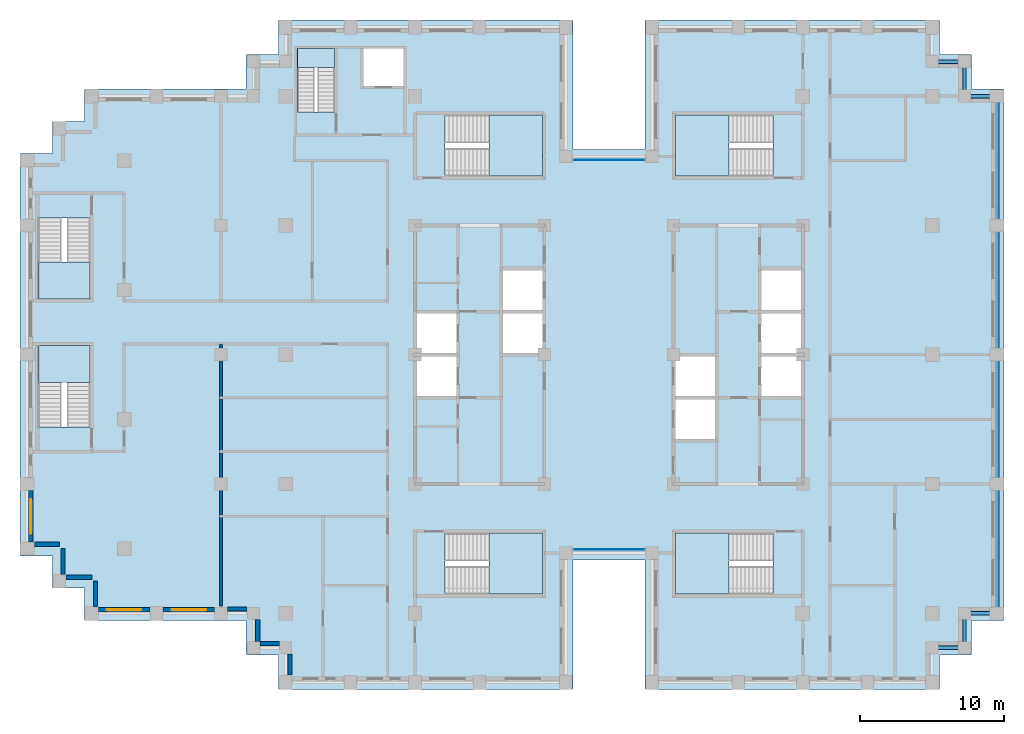
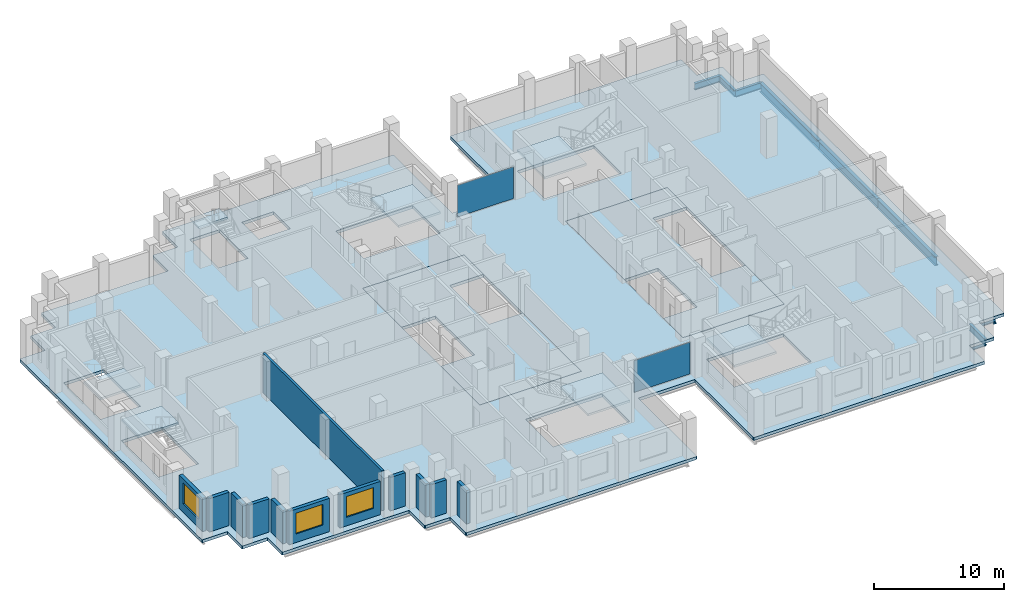
# One storey, part 5 of 15: 12 walls, 10 beams, 10 slabs, 3 windows, 2 plates, 3 openings, 9 elements without a shape of their own.
"""IFC4 building model written with IfcOpenShell, lengths in metres."""

from ifc_helpers import new_model, si_unit, direction, frame, frame_2d, origin, origin_2d, place, context, subcontext, project, spatial, polyline, rectangle, i_section, outline, extrude, material, layer, layer_set, material_profile, profile_set, type_object, element, fill, aggregate, save


model = new_model("IFC4")

# Units and contexts
model_context = context("Model", 3, precision=1e-05, world=origin(), true_north=direction((0.0, 1.0)))
body_context = subcontext(model_context, "Body", "Model", "MODEL_VIEW")
ifc_project = project(units=[si_unit("LENGTHUNIT", "METRE"), si_unit("AREAUNIT", "SQUARE_METRE"), si_unit("VOLUMEUNIT", "CUBIC_METRE"), si_unit("PLANEANGLEUNIT", "RADIAN"), si_unit("MASSUNIT", "GRAM", prefix="KILO")], contexts=[model_context])

# Site, building, storey
site_placement = place(None, origin())
site = spatial("IfcSite", under=ifc_project, at=site_placement, CompositionType="ELEMENT")
building_placement = place(site_placement, origin())
building = spatial("IfcBuilding", under=site, at=building_placement, Name="Corbelhall Arena Tower", CompositionType="ELEMENT")
storey_placement = place(building_placement, frame((0.0, 0.0, 212.0)))
storey = spatial("IfcBuildingStorey", under=building, at=storey_placement, Name="L44", CompositionType="ELEMENT", Elevation=212.0)

# Beams
ifc_material_1 = material(Name="Steel ASTM A992 Gr50", Category="steel")
ifc_material_profile_1 = material_profile(ifc_material_1, i_section(OverallWidth=0.228271484375, OverallDepth=0.607177734375, WebThickness=0.01123046875, FlangeThickness=0.017333984375, at=origin_2d()))
ifc_profile_set_1 = profile_set([ifc_material_profile_1], Name="Steel ASTM A992 Gr50")
beam_type_1 = type_object("IfcBeamType", Name="ST-SPANDREL-W24x76", PredefinedType="SPANDREL", material=ifc_profile_set_1)
for number, where, z_axis, x_axis, name in (
    (1, (27.0, -18.0, -0.58349609375), (-1.0, 0.0, 0.0), (0.0, -1.0, 0.0), "Beam SP 12"),
    (2, (22.5, 20.39990234375, -0.58349609375), (1.0, 0.0, 0.0), (0.0, 1.0, 0.0), "Beam SP 39"),
):
    element("IfcBeam", number, at=place(storey_placement, frame(where, z_axis=z_axis, x_axis=x_axis)), inside=storey, type_object=beam_type_1, Name=name, PredefinedType="SPANDREL", context=body_context, shape_type="SweptSolid", body=[
        extrude(i_section(OverallWidth=0.228271484375, OverallDepth=0.607177734375, WebThickness=0.01123046875, FlangeThickness=0.017333984375, at=origin_2d()), origin(), (0.0, 0.0, 1.0), 2.25),
    ])
beam_1_placement = place(storey_placement, frame((24.75, 20.39990234375, -0.58349609375), z_axis=(0.0, -1.0, 0.0), x_axis=(1.0, 0.0, 0.0)))
element("IfcBeam", 3, at=beam_1_placement, inside=storey, type_object=beam_type_1, Name="Beam SP 40", PredefinedType="SPANDREL", context=body_context, shape_type="SweptSolid", body=[
    extrude(i_section(OverallWidth=0.228271484375, OverallDepth=0.607177734375, WebThickness=0.01123046875, FlangeThickness=0.017333984375, at=origin_2d()), origin(), (0.0, 0.0, 1.0), 2.39990234375),
])
for number, where, z_axis, x_axis, name in (
    (4, (24.75, 18.0, -0.58349609375), (1.0, 0.0, 0.0), (0.0, 1.0, 0.0), "Beam SP 41"),
    (5, (24.75, -20.39990234375, -0.58349609375), (-1.0, 0.0, 0.0), (0.0, -1.0, 0.0), "Beam SP 46"),
):
    element("IfcBeam", number, at=place(storey_placement, frame(where, z_axis=z_axis, x_axis=x_axis)), inside=storey, type_object=beam_type_1, Name=name, PredefinedType="SPANDREL", context=body_context, shape_type="SweptSolid", body=[
        extrude(i_section(OverallWidth=0.228271484375, OverallDepth=0.607177734375, WebThickness=0.01123046875, FlangeThickness=0.017333984375, at=origin_2d()), origin(), (0.0, 0.0, 1.0), 2.25),
    ])
beam_2_placement = place(storey_placement, frame((24.75, -18.0, -0.58349609375), z_axis=(0.0, -1.0, 0.0), x_axis=(1.0, 0.0, 0.0)))
element("IfcBeam", 6, at=beam_2_placement, inside=storey, type_object=beam_type_1, Name="Beam SP 47", PredefinedType="SPANDREL", context=body_context, shape_type="SweptSolid", body=[
    extrude(i_section(OverallWidth=0.228271484375, OverallDepth=0.607177734375, WebThickness=0.01123046875, FlangeThickness=0.017333984375, at=origin_2d()), origin(), (0.0, 0.0, 1.0), 2.39990234375),
])
ifc_material_profile_2 = material_profile(ifc_material_1, i_section(OverallWidth=0.2919921875, OverallDepth=0.845703125, WebThickness=0.015380859375, FlangeThickness=0.0244140625, at=origin_2d()))
ifc_profile_set_2 = profile_set([ifc_material_profile_2], Name="Steel ASTM A992 Gr50")
beam_type_2 = type_object("IfcBeamType", Name="ST-SPANDREL-W33x141", PredefinedType="SPANDREL", material=ifc_profile_set_2)
for number, where, z_axis, x_axis, name in (
    (7, (27.0, 0.0, -0.702880859375), (0.0, -1.0, 0.0), (1.0, 0.0, 0.0), "Beam SP 8"),
    (8, (27.0, 9.0, -0.702880859375), (0.0, -1.0, 0.0), (1.0, 0.0, 0.0), "Beam SP 9"),
    (9, (27.0, 18.0, -0.702880859375), (0.0, -1.0, 0.0), (1.0, 0.0, 0.0), "Beam SP 10"),
    (10, (27.0, -9.0, -0.702880859375), (0.0, -1.0, 0.0), (1.0, 0.0, 0.0), "Beam SP 11"),
):
    element("IfcBeam", number, at=place(storey_placement, frame(where, z_axis=z_axis, x_axis=x_axis)), inside=storey, type_object=beam_type_2, Name=name, PredefinedType="SPANDREL", context=body_context, shape_type="SweptSolid", body=[
        extrude(i_section(OverallWidth=0.2919921875, OverallDepth=0.845703125, WebThickness=0.015380859375, FlangeThickness=0.0244140625, at=origin_2d()), origin(), (0.0, 0.0, 1.0), 9.0),
    ])

# Curtain wall, plate
ifc_material_2 = material(Name="Aluminium black anodised", Category="aluminium")
ifc_layer_1 = layer(ifc_material_2, 0.199951171875)
ifc_layer_set_1 = layer_set([ifc_layer_1], Name="EV-CW1 Slot back wall")
curtain_wall_type = type_object("IfcCurtainWallType", Name="EV-CW1 Slot back wall", PredefinedType="NOTDEFINED", material=ifc_layer_set_1)
curtain_wall_1_placement = place(storey_placement, origin())
curtain_wall_1 = element("IfcCurtainWall", 11, at=curtain_wall_1_placement, inside=storey, type_object=curtain_wall_type, Name="Curtain wall CW1", PredefinedType="NOTDEFINED")
ifc_material_3 = material(Name="Glass dark tinted laminated", Category="glass")
ifc_layer_2 = layer(ifc_material_3, 0.028076171875)
ifc_layer_set_2 = layer_set([ifc_layer_2], Name="EV-CW1-PANEL")
plate_type = type_object("IfcPlateType", Name="EV-CW1-PANEL", PredefinedType="CURTAIN_PANEL", material=ifc_layer_set_2)
plate_1_placement = place(storey_placement, frame((0.0, -13.550048828125, 0.0751953125), z_axis=(0.0, 0.0, 1.0), x_axis=(1.0, 0.0, 0.0)))
plate_1 = element("IfcPlate", 12, at=plate_1_placement, type_object=plate_type, Name="CW1 panel 1.1", PredefinedType="CURTAIN_PANEL", context=body_context, shape_type="SweptSolid", body=[
    extrude(rectangle(XDim=4.949951171875, YDim=0.028076171875, at=origin_2d()), origin(), (0.0, 0.0, 1.0), 2.969970703125),
])
aggregate(curtain_wall_1, [plate_1])

curtain_wall_2_placement = place(storey_placement, origin())
curtain_wall_2 = element("IfcCurtainWall", 13, at=curtain_wall_2_placement, inside=storey, type_object=curtain_wall_type, Name="Curtain wall CW1", PredefinedType="NOTDEFINED")
plate_2_placement = place(storey_placement, frame((0.0, 13.550048828125, 0.0751953125), z_axis=(0.0, 0.0, 1.0), x_axis=(-1.0, 0.0, 0.0)))
plate_2 = element("IfcPlate", 14, at=plate_2_placement, type_object=plate_type, Name="CW1 panel 1.1", PredefinedType="CURTAIN_PANEL", context=body_context, shape_type="SweptSolid", body=[
    extrude(rectangle(XDim=4.949951171875, YDim=0.028076171875, at=origin_2d()), origin(), (0.0, 0.0, 1.0), 2.969970703125),
])
aggregate(curtain_wall_2, [plate_2])

# Slabs
ifc_material_4 = material(Name="Concrete C40/50", Category="concrete")
ifc_layer_3 = layer(ifc_material_4, 0.300048828125)
ifc_layer_set_3 = layer_set([ifc_layer_3], Name="IN-SL-CORE")
slab_type_1 = type_object("IfcSlabType", Name="IN-SL-CORE", PredefinedType="FLOOR", material=ifc_layer_set_3)
slab_1_placement = place(storey_placement, frame((0.0, 0.0, -0.280029296875)))
element("IfcSlab", 15, at=slab_1_placement, inside=storey, type_object=slab_type_1, Name="Core floor W", PredefinedType="FLOOR", context=body_context, shape_type="SweptSolid", body=[
    extrude(outline(polyline([(-10.5, -3.0), (-13.5, -3.0), (-13.5, -9.0), (-4.5, -9.0), (-4.5, 0.0), (-7.5, 0.0), (-7.5, 3.0), (-7.5, 6.0), (-4.5, 6.0), (-4.5, 9.0), (-13.5, 9.0), (-13.5, 3.0), (-10.5, 3.0), (-10.5, 0.0), (-10.5, -3.0)])), origin(), (0.0, 0.0, 1.0), 0.280029296875),
])
slab_2_placement = place(storey_placement, frame((0.0, 0.0, -0.280029296875)))
element("IfcSlab", 16, at=slab_2_placement, inside=storey, type_object=slab_type_1, Name="Core floor E", PredefinedType="FLOOR", context=body_context, shape_type="SweptSolid", body=[
    extrude(outline(polyline([(13.5, -3.0), (10.5, -3.0), (10.5, 0.0), (10.5, 3.0), (10.5, 6.0), (13.5, 6.0), (13.5, 9.0), (4.5, 9.0), (4.5, 0.0), (7.5, 0.0), (7.5, -3.0), (7.5, -6.0), (4.5, -6.0), (4.5, -9.0), (13.5, -9.0), (13.5, -3.0)])), origin(), (0.0, 0.0, 1.0), 0.280029296875),
])

# Stair, slab
stair_type = type_object("IfcStairType", Name="IN-ST-TOWER", PredefinedType="HALF_TURN_STAIR", material=ifc_material_4)
stair_1_placement = place(storey_placement, origin())
stair_1 = element("IfcStair", 17, at=stair_1_placement, inside=storey, type_object=stair_type, Name="L44 Exit stair ST1", PredefinedType="HALF_TURN_STAIR")
ifc_layer_4 = layer(ifc_material_4, 0.199951171875)
ifc_layer_set_4 = layer_set([ifc_layer_4], Name="IN-SL-LANDING")
slab_type_2 = type_object("IfcSlabType", Name="IN-SL-LANDING", PredefinedType="LANDING", material=ifc_layer_set_4)
slab_3_placement = place(storey_placement, frame((0.0, 0.0, 1.800048828125)))
slab_3 = element("IfcSlab", 18, at=slab_3_placement, type_object=slab_type_2, Name="ST1 landing 1", PredefinedType="LANDING", context=body_context, shape_type="SweptSolid", body=[
    extrude(outline(polyline([(-8.344970703125, 12.425048828125), (-4.625, 12.425048828125), (-4.625, 16.675048828125), (-8.344970703125, 16.675048828125), (-8.344970703125, 12.425048828125)])), origin(), (0.0, 0.0, 1.0), 0.199951171875),
])
aggregate(stair_1, [slab_3])

stair_2_placement = place(storey_placement, origin())
stair_2 = element("IfcStair", 19, at=stair_2_placement, inside=storey, type_object=stair_type, Name="L44 Exit stair ST2", PredefinedType="HALF_TURN_STAIR")
slab_4_placement = place(storey_placement, frame((0.0, 0.0, 1.800048828125)))
slab_4 = element("IfcSlab", 20, at=slab_4_placement, type_object=slab_type_2, Name="ST2 landing 1", PredefinedType="LANDING", context=body_context, shape_type="SweptSolid", body=[
    extrude(outline(polyline([(-8.344970703125, -16.675048828125), (-4.625, -16.675048828125), (-4.625, -12.425048828125), (-8.344970703125, -12.425048828125), (-8.344970703125, -16.675048828125)])), origin(), (0.0, 0.0, 1.0), 0.199951171875),
])
aggregate(stair_2, [slab_4])

stair_3_placement = place(storey_placement, origin())
stair_3 = element("IfcStair", 21, at=stair_3_placement, inside=storey, type_object=stair_type, Name="L44 Exit stair ST3", PredefinedType="HALF_TURN_STAIR")
slab_5_placement = place(storey_placement, frame((0.0, 0.0, 1.800048828125)))
slab_5 = element("IfcSlab", 22, at=slab_5_placement, type_object=slab_type_2, Name="ST3 landing 1", PredefinedType="LANDING", context=body_context, shape_type="SweptSolid", body=[
    extrude(outline(polyline([(8.344970703125, 16.675048828125), (4.625, 16.675048828125), (4.625, 12.425048828125), (8.344970703125, 12.425048828125), (8.344970703125, 16.675048828125)])), origin(), (0.0, 0.0, 1.0), 0.199951171875),
])
aggregate(stair_3, [slab_5])

stair_4_placement = place(storey_placement, origin())
stair_4 = element("IfcStair", 23, at=stair_4_placement, inside=storey, type_object=stair_type, Name="L44 Exit stair ST4", PredefinedType="HALF_TURN_STAIR")
slab_6_placement = place(storey_placement, frame((0.0, 0.0, 1.800048828125)))
slab_6 = element("IfcSlab", 24, at=slab_6_placement, type_object=slab_type_2, Name="ST4 landing 1", PredefinedType="LANDING", context=body_context, shape_type="SweptSolid", body=[
    extrude(outline(polyline([(8.344970703125, -12.425048828125), (4.625, -12.425048828125), (4.625, -16.675048828125), (8.344970703125, -16.675048828125), (8.344970703125, -12.425048828125)])), origin(), (0.0, 0.0, 1.0), 0.199951171875),
])
aggregate(stair_4, [slab_6])

stair_5_placement = place(storey_placement, origin())
stair_5 = element("IfcStair", 25, at=stair_5_placement, inside=storey, type_object=stair_type, Name="L44 Exit stair SC1", PredefinedType="HALF_TURN_STAIR")
slab_7_placement = place(storey_placement, frame((0.0, 0.0, 1.800048828125)))
slab_7 = element("IfcSlab", 26, at=slab_7_placement, type_object=slab_type_2, Name="SC1 landing 1", PredefinedType="LANDING", context=body_context, shape_type="SweptSolid", body=[
    extrude(outline(polyline([(-39.699951171875, 6.445068359375), (-39.699951171875, 3.875), (-36.125, 3.875), (-36.125, 6.445068359375), (-39.699951171875, 6.445068359375)])), origin(), (0.0, 0.0, 1.0), 0.199951171875),
])
aggregate(stair_5, [slab_7])

stair_6_placement = place(storey_placement, origin())
stair_6 = element("IfcStair", 27, at=stair_6_placement, inside=storey, type_object=stair_type, Name="L44 Exit stair SC2", PredefinedType="HALF_TURN_STAIR")
slab_8_placement = place(storey_placement, frame((0.0, 0.0, 1.800048828125)))
slab_8 = element("IfcSlab", 28, at=slab_8_placement, type_object=slab_type_2, Name="SC2 landing 1", PredefinedType="LANDING", context=body_context, shape_type="SweptSolid", body=[
    extrude(outline(polyline([(-36.125, -1.945068359375), (-36.125, 0.625), (-39.699951171875, 0.625), (-39.699951171875, -1.945068359375), (-36.125, -1.945068359375)])), origin(), (0.0, 0.0, 1.0), 0.199951171875),
])
aggregate(stair_6, [slab_8])

stair_7_placement = place(storey_placement, origin())
stair_7 = element("IfcStair", 29, at=stair_7_placement, inside=storey, type_object=stair_type, Name="L44 Exit stair ST5", PredefinedType="HALF_TURN_STAIR")
slab_9_placement = place(storey_placement, frame((0.0, 0.0, 1.800048828125)))
slab_9 = element("IfcSlab", 30, at=slab_9_placement, type_object=slab_type_2, Name="ST5 landing 1", PredefinedType="LANDING", context=body_context, shape_type="SweptSolid", body=[
    extrude(outline(polyline([(-19.094970703125, 19.97998046875), (-19.094970703125, 21.300048828125), (-21.695068359375, 21.300048828125), (-21.695068359375, 19.97998046875), (-19.094970703125, 19.97998046875)])), origin(), (0.0, 0.0, 1.0), 0.199951171875),
])
aggregate(stair_7, [slab_9])

# Slab
ifc_layer_5 = layer(ifc_material_4, 0.280029296875)
ifc_layer_set_5 = layer_set([ifc_layer_5], Name="ST-SLAB-FLOOR-280")
slab_type_3 = type_object("IfcSlabType", Name="ST-SLAB-FLOOR-280", PredefinedType="FLOOR", material=ifc_layer_set_5)
slab_10_placement = place(storey_placement, frame((0.0, 0.0, -0.280029296875)))
element("IfcSlab", 31, at=slab_10_placement, inside=storey, type_object=slab_type_3, Name="Floor slab L44 1", PredefinedType="FLOOR", context=body_context, shape_type="SweptSolid", body=[
    extrude(outline(polyline([(23.0, 23.25), (22.949951171875, 23.300048828125), (2.550048828125, 23.300048828125), (2.5, 23.25), (2.5, 14.300048828125), (-2.5, 14.300048828125), (-2.5, 23.25), (-2.550048828125, 23.300048828125), (-22.949951171875, 23.300048828125), (-23.0, 23.25), (-23.0, 20.89990234375), (-25.199951171875, 20.89990234375), (-25.25, 20.85009765625), (-25.25, 18.5), (-36.449951171875, 18.5), (-36.5, 18.449951171875), (-36.5, 16.25), (-38.699951171875, 16.25), (-38.75, 16.199951171875), (-38.75, 14.0), (-40.949951171875, 14.0), (-41.0, 13.949951171875), (-41.0, -13.949951171875), (-40.949951171875, -14.0), (-38.75, -14.0), (-38.75, -16.199951171875), (-38.699951171875, -16.25), (-36.5, -16.25), (-36.5, -18.449951171875), (-36.449951171875, -18.5), (-25.25, -18.5), (-25.25, -20.85009765625), (-25.199951171875, -20.89990234375), (-23.0, -20.89990234375), (-23.0, -23.25), (-22.949951171875, -23.300048828125), (-2.550048828125, -23.300048828125), (-2.5, -23.25), (-2.5, -14.300048828125), (2.5, -14.300048828125), (2.5, -23.25), (2.550048828125, -23.300048828125), (22.949951171875, -23.300048828125), (23.0, -23.25), (23.0, -20.89990234375), (25.199951171875, -20.89990234375), (25.25, -20.85009765625), (25.25, -18.5), (27.449951171875, -18.5), (27.5, -18.449951171875), (27.5, 18.449951171875), (27.449951171875, 18.5), (25.25, 18.5), (25.25, 20.85009765625), (25.199951171875, 20.89990234375), (23.0, 20.89990234375), (23.0, 23.25)]), holes=[polyline([(-4.5, -9.0), (-4.5, 9.0), (-13.5, 9.0), (-13.5, -9.0), (-4.5, -9.0)]), polyline([(13.5, -9.0), (13.5, 9.0), (4.5, 9.0), (4.5, -9.0), (13.5, -9.0)]), polyline([(-11.422119140625, 12.425048828125), (-4.625, 12.425048828125), (-4.625, 16.675048828125), (-11.422119140625, 16.675048828125), (-11.422119140625, 12.425048828125)]), polyline([(-11.422119140625, -12.425048828125), (-11.422119140625, -16.675048828125), (-4.625, -16.675048828125), (-4.625, -12.425048828125), (-11.422119140625, -12.425048828125)]), polyline([(4.625, 12.425048828125), (11.422119140625, 12.425048828125), (11.422119140625, 16.675048828125), (4.625, 16.675048828125), (4.625, 12.425048828125)]), polyline([(4.625, -12.425048828125), (4.625, -16.675048828125), (11.422119140625, -16.675048828125), (11.422119140625, -12.425048828125), (4.625, -12.425048828125)]), polyline([(-39.699951171875, 9.52197265625), (-39.699951171875, 3.875), (-36.125, 3.875), (-36.125, 9.52197265625), (-39.699951171875, 9.52197265625)]), polyline([(-39.699951171875, -5.02197265625), (-36.125, -5.02197265625), (-36.125, 0.625), (-39.699951171875, 0.625), (-39.699951171875, -5.02197265625)]), polyline([(-21.695068359375, 21.300048828125), (-21.695068359375, 16.903076171875), (-19.094970703125, 16.903076171875), (-19.094970703125, 21.300048828125), (-21.695068359375, 21.300048828125)]), polyline([(-14.300048828125, 21.300048828125), (-17.10009765625, 21.300048828125), (-17.10009765625, 18.699951171875), (-14.300048828125, 18.699951171875), (-14.300048828125, 21.300048828125)])]), origin(), (0.0, 0.0, 1.0), 0.280029296875),
])

# Walls
ifc_material_5 = material(Name="Precast concrete C40/50 with granite facing", Category="masonry")
ifc_layer_6 = layer(ifc_material_5, 0.300048828125)
ifc_layer_set_6 = layer_set([ifc_layer_6], Name="EV-IW1 Infill panel 300")
wall_type_1 = type_object("IfcWallType", Name="EV-IW1 Infill panel 300", PredefinedType="SOLIDWALL", material=ifc_layer_set_6)
wall_1_placement = place(storey_placement, frame((-40.0, -13.199951171875, 0.0), z_axis=(0.0, 0.0, 1.0), x_axis=(1.0, 0.0, 0.0)))
element("IfcWall", 32, at=wall_1_placement, inside=storey, type_object=wall_type_1, Name="Infill panel IW1", PredefinedType="SOLIDWALL", context=body_context, shape_type="SweptSolid", body=[
    extrude(rectangle(XDim=1.75, YDim=0.300048828125, at=frame_2d((0.875, 0.0))), origin(), (0.0, 0.0, 1.0), 3.1201171875),
])
for number, where, z_axis, x_axis, name in (
    (33, (-38.0, -15.300048828125, 0.0), (0.0, 0.0, 1.0), (0.0, 1.0, 0.0), "Infill panel IW1"),
    (34, (-37.800048828125, -15.5, 0.0), (0.0, 0.0, 1.0), (1.0, 0.0, 0.0), "Infill panel IW1"),
    (35, (-35.75, -17.550048828125, 0.0), (0.0, 0.0, 1.0), (0.0, 1.0, 0.0), "Infill panel IW1"),
):
    element("IfcWall", number, at=place(storey_placement, frame(where, z_axis=z_axis, x_axis=x_axis)), inside=storey, type_object=wall_type_1, Name=name, PredefinedType="SOLIDWALL", context=body_context, shape_type="SweptSolid", body=[
        extrude(rectangle(XDim=1.800048828125, YDim=0.300048828125, at=frame_2d((0.89990234375, 0.0))), origin(), (0.0, 0.0, 1.0), 3.1201171875),
    ])

# Wall, opening, window
wall_2_placement = place(storey_placement, frame((-40.25, -9.449951171875, 0.0), z_axis=(0.0, 0.0, 1.0), x_axis=(0.0, -1.0, 0.0)))
wall_2 = element("IfcWall", 36, at=wall_2_placement, inside=storey, type_object=wall_type_1, Name="Infill panel IW1", PredefinedType="SOLIDWALL", context=body_context, shape_type="SweptSolid", body=[
    extrude(rectangle(XDim=3.60009765625, YDim=0.300048828125, at=frame_2d((1.800048828125, 0.0))), origin(), (0.0, 0.0, 1.0), 3.1201171875),
])
opening_1_placement = place(wall_2_placement, frame((0.60009765625, 0.0, 0.800048828125)))
opening_1 = element("IfcOpeningElement", 37, at=opening_1_placement, cuts=wall_2, Name="Opening WN1", PredefinedType="OPENING", context=body_context, shape_type="SweptSolid", body=[
    extrude(rectangle(XDim=2.39990234375, YDim=1.949951171875, at=frame_2d((1.199951171875, 0.97509765625))), frame((0.0, 0.14990234375, 0.0), z_axis=(0.0, -1.0, 0.0), x_axis=(1.0, 0.0, 0.0)), (0.0, 0.0, 1.0), 0.300048828125),
])
window_type = type_object("IfcWindowType", Name="EV-WN1 Office window", PartitioningType="SINGLE_PANEL", PredefinedType="WINDOW", material=ifc_material_2)
window_1_placement = place(opening_1_placement, origin())
window_1 = element("IfcWindow", 38, at=window_1_placement, inside=storey, type_object=window_type, Name="Window WN1", OverallHeight=1.949951171875, OverallWidth=2.39990234375, PartitioningType="SINGLE_PANEL", PredefinedType="WINDOW", context=body_context, shape_type="SweptSolid", body=[
    extrude(rectangle(XDim=2.39990234375, YDim=1.949951171875, at=frame_2d((1.199951171875, 0.97509765625))), frame((0.0, 0.030029296875, 0.0), z_axis=(0.0, -1.0, 0.0), x_axis=(1.0, 0.0, 0.0)), (0.0, 0.0, 1.0), 0.06005859375),
])
fill(opening_1, window_1)

wall_3_placement = place(storey_placement, frame((-35.550048828125, -17.75, 0.0), z_axis=(0.0, 0.0, 1.0), x_axis=(1.0, 0.0, 0.0)))
wall_3 = element("IfcWall", 39, at=wall_3_placement, inside=storey, type_object=wall_type_1, Name="Infill panel IW1", PredefinedType="SOLIDWALL", context=body_context, shape_type="SweptSolid", body=[
    extrude(rectangle(XDim=3.60009765625, YDim=0.300048828125, at=frame_2d((1.800048828125, 0.0))), origin(), (0.0, 0.0, 1.0), 3.1201171875),
])
opening_2_placement = place(wall_3_placement, frame((0.60009765625, 0.0, 0.800048828125)))
opening_2 = element("IfcOpeningElement", 40, at=opening_2_placement, cuts=wall_3, Name="Opening WN1", PredefinedType="OPENING", context=body_context, shape_type="SweptSolid", body=[
    extrude(rectangle(XDim=2.39990234375, YDim=1.949951171875, at=frame_2d((1.199951171875, 0.97509765625))), frame((0.0, 0.14990234375, 0.0), z_axis=(0.0, -1.0, 0.0), x_axis=(1.0, 0.0, 0.0)), (0.0, 0.0, 1.0), 0.300048828125),
])
window_2_placement = place(opening_2_placement, origin())
window_2 = element("IfcWindow", 41, at=window_2_placement, inside=storey, type_object=window_type, Name="Window WN1", OverallHeight=1.949951171875, OverallWidth=2.39990234375, PartitioningType="SINGLE_PANEL", PredefinedType="WINDOW", context=body_context, shape_type="SweptSolid", body=[
    extrude(rectangle(XDim=2.39990234375, YDim=1.949951171875, at=frame_2d((1.199951171875, 0.97509765625))), frame((0.0, 0.030029296875, 0.0), z_axis=(0.0, -1.0, 0.0), x_axis=(1.0, 0.0, 0.0)), (0.0, 0.0, 1.0), 0.06005859375),
])
fill(opening_2, window_2)

wall_4_placement = place(storey_placement, frame((-31.050048828125, -17.75, 0.0), z_axis=(0.0, 0.0, 1.0), x_axis=(1.0, 0.0, 0.0)))
wall_4 = element("IfcWall", 42, at=wall_4_placement, inside=storey, type_object=wall_type_1, Name="Infill panel IW1", PredefinedType="SOLIDWALL", context=body_context, shape_type="SweptSolid", body=[
    extrude(rectangle(XDim=3.60009765625, YDim=0.300048828125, at=frame_2d((1.800048828125, 0.0))), origin(), (0.0, 0.0, 1.0), 3.1201171875),
])
opening_3_placement = place(wall_4_placement, frame((0.60009765625, 0.0, 0.800048828125)))
opening_3 = element("IfcOpeningElement", 43, at=opening_3_placement, cuts=wall_4, Name="Opening WN1", PredefinedType="OPENING", context=body_context, shape_type="SweptSolid", body=[
    extrude(rectangle(XDim=2.39990234375, YDim=1.949951171875, at=frame_2d((1.199951171875, 0.97509765625))), frame((0.0, 0.14990234375, 0.0), z_axis=(0.0, -1.0, 0.0), x_axis=(1.0, 0.0, 0.0)), (0.0, 0.0, 1.0), 0.300048828125),
])
window_3_placement = place(opening_3_placement, origin())
window_3 = element("IfcWindow", 44, at=window_3_placement, inside=storey, type_object=window_type, Name="Window WN1", OverallHeight=1.949951171875, OverallWidth=2.39990234375, PartitioningType="SINGLE_PANEL", PredefinedType="WINDOW", context=body_context, shape_type="SweptSolid", body=[
    extrude(rectangle(XDim=2.39990234375, YDim=1.949951171875, at=frame_2d((1.199951171875, 0.97509765625))), frame((0.0, 0.030029296875, 0.0), z_axis=(0.0, -1.0, 0.0), x_axis=(1.0, 0.0, 0.0)), (0.0, 0.0, 1.0), 0.06005859375),
])
fill(opening_3, window_3)

# Walls
wall_5_placement = place(storey_placement, frame((-26.550048828125, -17.699951171875, 0.0), z_axis=(0.0, 0.0, 1.0), x_axis=(1.0, 0.0, 0.0)))
element("IfcWall", 45, at=wall_5_placement, inside=storey, type_object=wall_type_1, Name="Infill panel IW1", PredefinedType="SOLIDWALL", context=body_context, shape_type="SweptSolid", body=[
    extrude(rectangle(XDim=1.35009765625, YDim=0.300048828125, at=frame_2d((0.675048828125, 0.0))), origin(), (0.0, 0.0, 1.0), 3.1201171875),
])
wall_6_placement = place(storey_placement, frame((-24.449951171875, -18.449951171875, 0.0), z_axis=(0.0, 0.0, 1.0), x_axis=(0.0, -1.0, 0.0)))
element("IfcWall", 46, at=wall_6_placement, inside=storey, type_object=wall_type_1, Name="Infill panel IW1", PredefinedType="SOLIDWALL", context=body_context, shape_type="SweptSolid", body=[
    extrude(rectangle(XDim=1.5, YDim=0.300048828125, at=frame_2d((0.75, 0.0))), origin(), (0.0, 0.0, 1.0), 3.1201171875),
])
wall_7_placement = place(storey_placement, frame((-24.300048828125, -20.10009765625, 0.0), z_axis=(0.0, 0.0, 1.0), x_axis=(1.0, 0.0, 0.0)))
element("IfcWall", 47, at=wall_7_placement, inside=storey, type_object=wall_type_1, Name="Infill panel IW1", PredefinedType="SOLIDWALL", context=body_context, shape_type="SweptSolid", body=[
    extrude(rectangle(XDim=1.35009765625, YDim=0.300048828125, at=frame_2d((0.675048828125, 0.0))), origin(), (0.0, 0.0, 1.0), 3.1201171875),
])
wall_8_placement = place(storey_placement, frame((-22.199951171875, -20.85009765625, 0.0), z_axis=(0.0, 0.0, 1.0), x_axis=(0.0, -1.0, 0.0)))
element("IfcWall", 48, at=wall_8_placement, inside=storey, type_object=wall_type_1, Name="Infill panel IW1", PredefinedType="SOLIDWALL", context=body_context, shape_type="SweptSolid", body=[
    extrude(rectangle(XDim=1.449951171875, YDim=0.300048828125, at=frame_2d((0.72509765625, 0.0))), origin(), (0.0, 0.0, 1.0), 3.1201171875),
])
ifc_material_6 = material(Name="Gypsum board on steel stud, acoustic", Category="steel")
ifc_layer_7 = layer(ifc_material_6, 0.199951171875)
ifc_layer_set_7 = layer_set([ifc_layer_7], Name="IN-W-DM200")
wall_type_2 = type_object("IfcWallType", Name="IN-W-DM200", PredefinedType="PARTITIONING", material=ifc_layer_set_7)
wall_9_placement = place(storey_placement, frame((-27.0, -17.5, 0.0), z_axis=(0.0, 0.0, 1.0), x_axis=(0.0, 1.0, 0.0)))
element("IfcWall", 49, at=wall_9_placement, inside=storey, type_object=wall_type_2, Name="Partition 009", PredefinedType="PARTITIONING", context=body_context, shape_type="SweptSolid", body=[
    extrude(rectangle(XDim=18.25, YDim=0.199951171875, at=frame_2d((9.125, 0.0))), origin(), (0.0, 0.0, 1.0), 3.719970703125),
])

save(model, "model.ifc")
